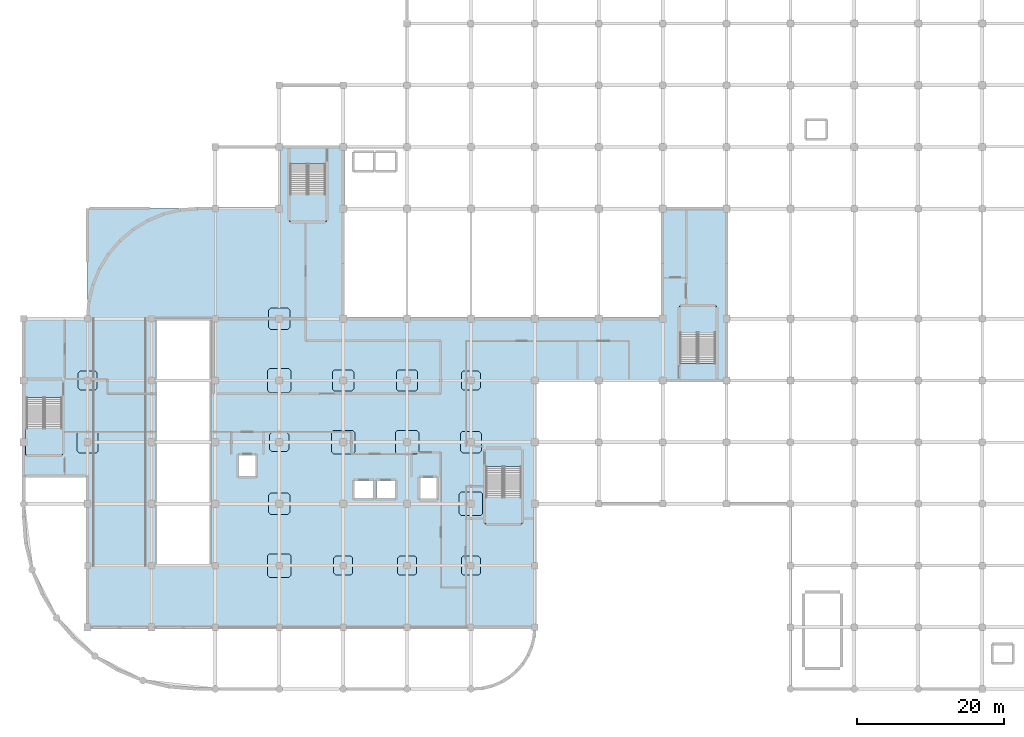
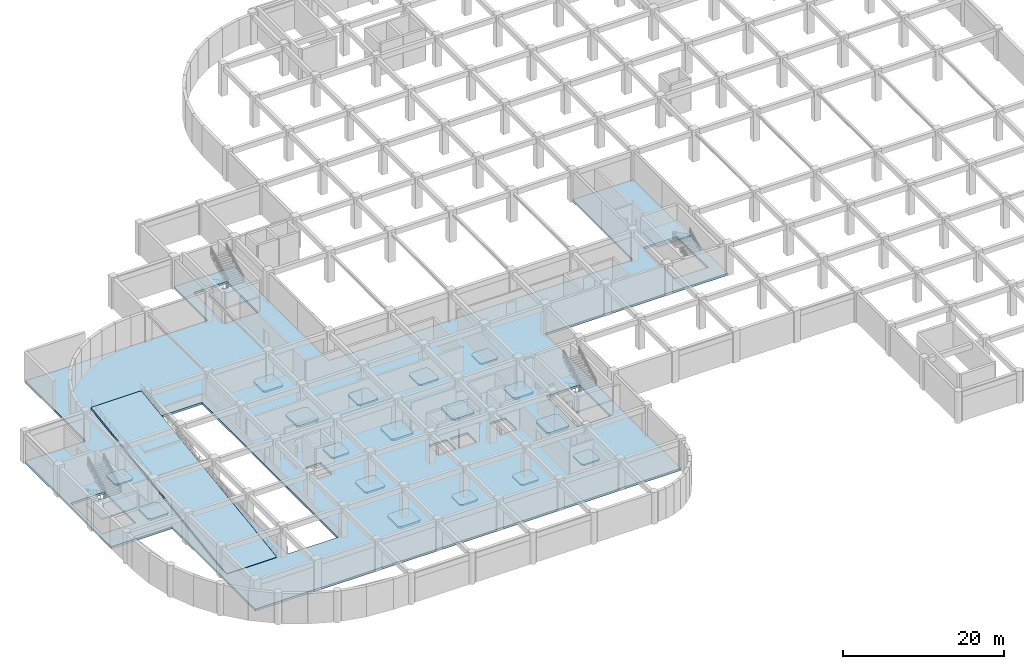
# One storey, part 6 of 19: 23 slabs, 4 elements without a shape of their own.
"""IFC4 building model written with IfcOpenShell, lengths in metres."""

from ifc_helpers import new_model, si_unit, derived_unit, direction, frame, origin, place, context, subcontext, project, spatial, polyline, outline, extrude, material, layer, layer_set, type_object, element, aggregate, save


model = new_model("IFC4")

# Units and contexts
model_context = context("Model", 3, precision=1e-05, world=origin(), true_north=direction((0.0, 1.0)))
body_context = subcontext(model_context, "Body", "Model", "MODEL_VIEW")
ifc_project = project(units=[si_unit("LENGTHUNIT", "METRE"), si_unit("AREAUNIT", "SQUARE_METRE"), si_unit("VOLUMEUNIT", "CUBIC_METRE"), si_unit("PLANEANGLEUNIT", "RADIAN"), si_unit("MASSUNIT", "GRAM", prefix="KILO"), derived_unit("THERMALTRANSMITTANCEUNIT", [(si_unit("MASSUNIT", "GRAM", prefix="KILO"), 1), (si_unit("TIMEUNIT", "SECOND"), -3), (si_unit("THERMODYNAMICTEMPERATUREUNIT", "KELVIN"), -1)])], contexts=[model_context])

# Site, building, storey
site_placement = place(None, origin())
site = spatial("IfcSite", under=ifc_project, at=site_placement, CompositionType="ELEMENT")
building_placement = place(site_placement, origin())
building = spatial("IfcBuilding", under=site, at=building_placement, Name="Qinzheling Arcade Emporium", CompositionType="ELEMENT")
storey_placement = place(building_placement, frame((0.0, 0.0, -4.800048828125)))
storey = spatial("IfcBuildingStorey", under=building, at=storey_placement, Name="B1", CompositionType="ELEMENT", Elevation=-4.800048828125)

# Slabs
ifc_material = material(Name="Concrete C40", Category="concrete")
ifc_layer_1 = layer(ifc_material, 0.320068359375, Name="Concrete C40", Category="concrete")
ifc_layer_set_1 = layer_set([ifc_layer_1], Name="Concrete C40")
slab_type_1 = type_object("IfcSlabType", Name="Basement Garage Flat Slab 320 C40", PredefinedType="FLOOR", material=ifc_layer_set_1)
slab_1_placement = place(storey_placement, frame((0.0, 0.0, -0.320068359375)))
element("IfcSlab", 1, at=slab_1_placement, inside=storey, type_object=slab_type_1, Name="Floor Slab SLB-B1-BASE", PredefinedType="FLOOR", context=body_context, shape_type="SweptSolid", body=[
    extrude(outline(polyline([(8.699951171875, 8.39990234375), (69.60009765625, 8.39990234375), (69.60009765625, 42.0), (95.699951171875, 42.0), (95.699951171875, 65.39990234375), (87.0, 65.39990234375), (87.0, 50.39990234375), (43.5, 50.39990234375), (43.5, 73.800048828125), (34.800048828125, 73.800048828125), (34.800048828125, 65.39990234375), (8.699951171875, 65.39990234375), (8.699951171875, 50.39990234375), (0.0, 50.39990234375), (0.0, 29.0), (8.699951171875, 29.0), (8.699951171875, 8.39990234375)]), holes=[polyline([(94.18994140625, 44.324951171875), (89.39990234375, 44.324951171875), (89.39990234375, 52.0), (94.18994140625, 52.0), (94.18994140625, 44.324951171875)]), polyline([(67.739990234375, 30.27490234375), (67.739990234375, 22.60009765625), (62.949951171875, 22.60009765625), (62.949951171875, 30.27490234375), (67.739990234375, 30.27490234375)]), polyline([(56.199951171875, 25.89990234375), (54.0, 25.89990234375), (54.0, 28.699951171875), (56.199951171875, 28.699951171875), (56.199951171875, 25.89990234375)]), polyline([(50.550048828125, 26.0), (48.050048828125, 26.0), (48.050048828125, 28.300048828125), (50.550048828125, 28.300048828125), (50.550048828125, 26.0)]), polyline([(47.550048828125, 28.300048828125), (47.550048828125, 26.0), (45.050048828125, 26.0), (45.050048828125, 28.300048828125), (47.550048828125, 28.300048828125)]), polyline([(41.090087890625, 63.800048828125), (36.300048828125, 63.800048828125), (36.300048828125, 71.47509765625), (41.090087890625, 71.47509765625), (41.090087890625, 63.800048828125)]), polyline([(31.550048828125, 31.800048828125), (31.550048828125, 29.0), (29.35009765625, 29.0), (29.35009765625, 31.800048828125), (31.550048828125, 31.800048828125)]), polyline([(25.360107421875, 50.409912109375), (25.360107421875, 16.751953125), (18.139892578125, 16.751953125), (18.139892578125, 50.409912109375), (25.360107421875, 50.409912109375)]), polyline([(16.659912109375, 19.25), (16.659912109375, 16.751953125), (9.43994140625, 16.751953125), (9.43994140625, 19.25), (16.659912109375, 19.25)]), polyline([(5.18994140625, 39.675048828125), (5.18994140625, 32.0), (0.39990234375, 32.0), (0.39990234375, 39.675048828125), (5.18994140625, 39.675048828125)])]), origin(), (0.0, 0.0, 1.0), 0.320068359375),
])
ifc_layer_2 = layer(ifc_material, 0.235107421875, Name="Concrete C40", Category="concrete")
ifc_layer_set_2 = layer_set([ifc_layer_2], Name="Concrete C40")
slab_type_2 = type_object("IfcSlabType", Name="Column Head Drop Panel 2600x2600x235 C40", PredefinedType="USERDEFINED", material=ifc_layer_set_2)
slab_2_placement = place(storey_placement, frame((0.0, 0.0, -0.554931640625)))
element("IfcSlab", 2, at=slab_2_placement, inside=storey, type_object=slab_type_2, Name="Column Drop Panel DP-B1-2-F", ObjectType="DROP_PANEL", PredefinedType="USERDEFINED", context=body_context, shape_type="SweptSolid", body=[
    extrude(outline(polyline([(7.679931640625, 40.699951171875), (9.719970703125, 40.699951171875), (10.0, 40.97998046875), (10.0, 43.02001953125), (9.719970703125, 43.300048828125), (7.679931640625, 43.300048828125), (7.39990234375, 43.02001953125), (7.39990234375, 40.97998046875), (7.679931640625, 40.699951171875)])), origin(), (0.0, 0.0, 1.0), 0.23486328125),
])
slab_3_placement = place(storey_placement, frame((0.0, 0.0, -0.554931640625)))
element("IfcSlab", 3, at=slab_3_placement, inside=storey, type_object=slab_type_2, Name="Column Drop Panel DP-B1-5-E", ObjectType="DROP_PANEL", PredefinedType="USERDEFINED", context=body_context, shape_type="SweptSolid", body=[
    extrude(outline(polyline([(33.780029296875, 32.300048828125), (35.820068359375, 32.300048828125), (36.10009765625, 32.580078125), (36.10009765625, 34.6201171875), (35.820068359375, 34.89990234375), (33.780029296875, 34.89990234375), (33.5, 34.6201171875), (33.5, 32.580078125), (33.780029296875, 32.300048828125)])), origin(), (0.0, 0.0, 1.0), 0.23486328125),
])
slab_4_placement = place(storey_placement, frame((0.0, 0.0, -0.554931640625)))
element("IfcSlab", 4, at=slab_4_placement, inside=storey, type_object=slab_type_2, Name="Column Drop Panel DP-B1-6-C", ObjectType="DROP_PANEL", PredefinedType="USERDEFINED", context=body_context, shape_type="SweptSolid", body=[
    extrude(outline(polyline([(42.47998046875, 15.5), (44.52001953125, 15.5), (44.800048828125, 15.780029296875), (44.800048828125, 17.820068359375), (44.52001953125, 18.10009765625), (42.47998046875, 18.10009765625), (42.199951171875, 17.820068359375), (42.199951171875, 15.780029296875), (42.47998046875, 15.5)])), origin(), (0.0, 0.0, 1.0), 0.23486328125),
])
slab_5_placement = place(storey_placement, frame((0.0, 0.0, -0.554931640625)))
element("IfcSlab", 5, at=slab_5_placement, inside=storey, type_object=slab_type_2, Name="Column Drop Panel DP-B1-7-C", ObjectType="DROP_PANEL", PredefinedType="USERDEFINED", context=body_context, shape_type="SweptSolid", body=[
    extrude(outline(polyline([(51.179931640625, 15.5), (53.219970703125, 15.5), (53.5, 15.780029296875), (53.5, 17.820068359375), (53.219970703125, 18.10009765625), (51.179931640625, 18.10009765625), (50.89990234375, 17.820068359375), (50.89990234375, 15.780029296875), (51.179931640625, 15.5)])), origin(), (0.0, 0.0, 1.0), 0.23486328125),
])
slab_6_placement = place(storey_placement, frame((0.0, 0.0, -0.554931640625)))
element("IfcSlab", 6, at=slab_6_placement, inside=storey, type_object=slab_type_2, Name="Column Drop Panel DP-B1-8-C", ObjectType="DROP_PANEL", PredefinedType="USERDEFINED", context=body_context, shape_type="SweptSolid", body=[
    extrude(outline(polyline([(59.8798828125, 15.5), (61.919921875, 15.5), (62.199951171875, 15.780029296875), (62.199951171875, 17.820068359375), (61.919921875, 18.10009765625), (59.8798828125, 18.10009765625), (59.60009765625, 17.820068359375), (59.60009765625, 15.780029296875), (59.8798828125, 15.5)])), origin(), (0.0, 0.0, 1.0), 0.23486328125),
])
slab_7_placement = place(storey_placement, frame((0.0, 0.0, -0.554931640625)))
element("IfcSlab", 7, at=slab_7_placement, inside=storey, type_object=slab_type_2, Name="Column Drop Panel DP-B1-8-F", ObjectType="DROP_PANEL", PredefinedType="USERDEFINED", context=body_context, shape_type="SweptSolid", body=[
    extrude(outline(polyline([(59.8798828125, 40.699951171875), (61.919921875, 40.699951171875), (62.199951171875, 40.97998046875), (62.199951171875, 43.02001953125), (61.919921875, 43.300048828125), (59.8798828125, 43.300048828125), (59.60009765625, 43.02001953125), (59.60009765625, 40.97998046875), (59.8798828125, 40.699951171875)])), origin(), (0.0, 0.0, 1.0), 0.23486328125),
])
ifc_layer_3 = layer(ifc_material, 0.27001953125, Name="Concrete C40", Category="concrete")
ifc_layer_set_3 = layer_set([ifc_layer_3], Name="Concrete C40")
slab_type_3 = type_object("IfcSlabType", Name="Column Head Drop Panel 2900x2900x270 C40", PredefinedType="USERDEFINED", material=ifc_layer_set_3)
slab_8_placement = place(storey_placement, frame((0.0, 0.0, -0.58984375)))
element("IfcSlab", 8, at=slab_8_placement, inside=storey, type_object=slab_type_3, Name="Column Drop Panel DP-B1-2-E", ObjectType="DROP_PANEL", PredefinedType="USERDEFINED", context=body_context, shape_type="SweptSolid", body=[
    extrude(outline(polyline([(7.530029296875, 32.14990234375), (9.8701171875, 32.14990234375), (10.14990234375, 32.429931640625), (10.14990234375, 34.77001953125), (9.8701171875, 35.050048828125), (7.530029296875, 35.050048828125), (7.25, 34.77001953125), (7.25, 32.429931640625), (7.530029296875, 32.14990234375)])), origin(), (0.0, 0.0, 1.0), 0.269775390625),
])
slab_9_placement = place(storey_placement, frame((0.0, 0.0, -0.58984375)))
element("IfcSlab", 9, at=slab_9_placement, inside=storey, type_object=slab_type_3, Name="Column Drop Panel DP-B1-5-D", ObjectType="DROP_PANEL", PredefinedType="USERDEFINED", context=body_context, shape_type="SweptSolid", body=[
    extrude(outline(polyline([(33.6298828125, 23.75), (35.969970703125, 23.75), (36.25, 24.030029296875), (36.25, 26.3701171875), (35.969970703125, 26.64990234375), (33.6298828125, 26.64990234375), (33.35009765625, 26.3701171875), (33.35009765625, 24.030029296875), (33.6298828125, 23.75)])), origin(), (0.0, 0.0, 1.0), 0.269775390625),
])
slab_10_placement = place(storey_placement, frame((0.0, 0.0, -0.58984375)))
element("IfcSlab", 10, at=slab_10_placement, inside=storey, type_object=slab_type_3, Name="Column Drop Panel DP-B1-5-G", ObjectType="DROP_PANEL", PredefinedType="USERDEFINED", context=body_context, shape_type="SweptSolid", body=[
    extrude(outline(polyline([(33.6298828125, 48.949951171875), (35.969970703125, 48.949951171875), (36.25, 49.22998046875), (36.25, 51.570068359375), (35.969970703125, 51.85009765625), (33.6298828125, 51.85009765625), (33.35009765625, 51.570068359375), (33.35009765625, 49.22998046875), (33.6298828125, 48.949951171875)])), origin(), (0.0, 0.0, 1.0), 0.269775390625),
])
slab_11_placement = place(storey_placement, frame((0.0, 0.0, -0.58984375)))
element("IfcSlab", 11, at=slab_11_placement, inside=storey, type_object=slab_type_3, Name="Column Drop Panel DP-B1-6-F", ObjectType="DROP_PANEL", PredefinedType="USERDEFINED", context=body_context, shape_type="SweptSolid", body=[
    extrude(outline(polyline([(42.330078125, 40.550048828125), (44.669921875, 40.550048828125), (44.949951171875, 40.830078125), (44.949951171875, 43.169921875), (44.669921875, 43.449951171875), (42.330078125, 43.449951171875), (42.050048828125, 43.169921875), (42.050048828125, 40.830078125), (42.330078125, 40.550048828125)])), origin(), (0.0, 0.0, 1.0), 0.269775390625),
])
slab_12_placement = place(storey_placement, frame((0.0, 0.0, -0.58984375)))
element("IfcSlab", 12, at=slab_12_placement, inside=storey, type_object=slab_type_3, Name="Column Drop Panel DP-B1-7-F", ObjectType="DROP_PANEL", PredefinedType="USERDEFINED", context=body_context, shape_type="SweptSolid", body=[
    extrude(outline(polyline([(51.030029296875, 40.550048828125), (53.3701171875, 40.550048828125), (53.64990234375, 40.830078125), (53.64990234375, 43.169921875), (53.3701171875, 43.449951171875), (51.030029296875, 43.449951171875), (50.75, 43.169921875), (50.75, 40.830078125), (51.030029296875, 40.550048828125)])), origin(), (0.0, 0.0, 1.0), 0.269775390625),
])
slab_13_placement = place(storey_placement, frame((0.0, 0.0, -0.58984375)))
element("IfcSlab", 13, at=slab_13_placement, inside=storey, type_object=slab_type_3, Name="Column Drop Panel DP-B1-8-E", ObjectType="DROP_PANEL", PredefinedType="USERDEFINED", context=body_context, shape_type="SweptSolid", body=[
    extrude(outline(polyline([(59.72998046875, 32.14990234375), (62.070068359375, 32.14990234375), (62.35009765625, 32.429931640625), (62.35009765625, 34.77001953125), (62.070068359375, 35.050048828125), (59.72998046875, 35.050048828125), (59.449951171875, 34.77001953125), (59.449951171875, 32.429931640625), (59.72998046875, 32.14990234375)])), origin(), (0.0, 0.0, 1.0), 0.269775390625),
])
ifc_layer_4 = layer(ifc_material, 0.300048828125, Name="Concrete C40", Category="concrete")
ifc_layer_set_4 = layer_set([ifc_layer_4], Name="Concrete C40")
slab_type_4 = type_object("IfcSlabType", Name="Column Head Drop Panel 3200x3200x300 C40", PredefinedType="USERDEFINED", material=ifc_layer_set_4)
slab_14_placement = place(storey_placement, frame((0.0, 0.0, -0.619873046875)))
element("IfcSlab", 14, at=slab_14_placement, inside=storey, type_object=slab_type_4, Name="Column Drop Panel DP-B1-5-C", ObjectType="DROP_PANEL", PredefinedType="USERDEFINED", context=body_context, shape_type="SweptSolid", body=[
    extrude(outline(polyline([(33.47998046875, 15.199951171875), (36.1201171875, 15.199951171875), (36.39990234375, 15.47998046875), (36.39990234375, 18.1201171875), (36.1201171875, 18.39990234375), (33.47998046875, 18.39990234375), (33.199951171875, 18.1201171875), (33.199951171875, 15.47998046875), (33.47998046875, 15.199951171875)])), origin(), (0.0, 0.0, 1.0), 0.2998046875),
])
slab_15_placement = place(storey_placement, frame((0.0, 0.0, -0.619873046875)))
element("IfcSlab", 15, at=slab_15_placement, inside=storey, type_object=slab_type_4, Name="Column Drop Panel DP-B1-5-F", ObjectType="DROP_PANEL", PredefinedType="USERDEFINED", context=body_context, shape_type="SweptSolid", body=[
    extrude(outline(polyline([(33.47998046875, 40.39990234375), (36.1201171875, 40.39990234375), (36.39990234375, 40.679931640625), (36.39990234375, 43.320068359375), (36.1201171875, 43.60009765625), (33.47998046875, 43.60009765625), (33.199951171875, 43.320068359375), (33.199951171875, 40.679931640625), (33.47998046875, 40.39990234375)])), origin(), (0.0, 0.0, 1.0), 0.2998046875),
])
slab_16_placement = place(storey_placement, frame((0.0, 0.0, -0.619873046875)))
element("IfcSlab", 16, at=slab_16_placement, inside=storey, type_object=slab_type_4, Name="Column Drop Panel DP-B1-6-E", ObjectType="DROP_PANEL", PredefinedType="USERDEFINED", context=body_context, shape_type="SweptSolid", body=[
    extrude(outline(polyline([(42.179931640625, 32.0), (44.820068359375, 32.0), (45.10009765625, 32.280029296875), (45.10009765625, 34.919921875), (44.820068359375, 35.199951171875), (42.179931640625, 35.199951171875), (41.89990234375, 34.919921875), (41.89990234375, 32.280029296875), (42.179931640625, 32.0)])), origin(), (0.0, 0.0, 1.0), 0.2998046875),
])
slab_17_placement = place(storey_placement, frame((0.0, 0.0, -0.619873046875)))
element("IfcSlab", 17, at=slab_17_placement, inside=storey, type_object=slab_type_4, Name="Column Drop Panel DP-B1-7-E", ObjectType="DROP_PANEL", PredefinedType="USERDEFINED", context=body_context, shape_type="SweptSolid", body=[
    extrude(outline(polyline([(50.8798828125, 32.0), (53.52001953125, 32.0), (53.800048828125, 32.280029296875), (53.800048828125, 34.919921875), (53.52001953125, 35.199951171875), (50.8798828125, 35.199951171875), (50.60009765625, 34.919921875), (50.60009765625, 32.280029296875), (50.8798828125, 32.0)])), origin(), (0.0, 0.0, 1.0), 0.2998046875),
])
slab_18_placement = place(storey_placement, frame((0.0, 0.0, -0.619873046875)))
element("IfcSlab", 18, at=slab_18_placement, inside=storey, type_object=slab_type_4, Name="Column Drop Panel DP-B1-8-D", ObjectType="DROP_PANEL", PredefinedType="USERDEFINED", context=body_context, shape_type="SweptSolid", body=[
    extrude(outline(polyline([(59.580078125, 23.60009765625), (62.219970703125, 23.60009765625), (62.5, 23.8798828125), (62.5, 26.52001953125), (62.219970703125, 26.800048828125), (59.580078125, 26.800048828125), (59.300048828125, 26.52001953125), (59.300048828125, 23.8798828125), (59.580078125, 23.60009765625)])), origin(), (0.0, 0.0, 1.0), 0.2998046875),
])
ifc_layer_5 = layer(ifc_material, 0.300048828125, Name="Concrete C40", Category="concrete")
ifc_layer_set_5 = layer_set([ifc_layer_5], Name="Concrete C40")
slab_type_5 = type_object("IfcSlabType", Name="Sloped Concrete Vehicle Ramp Slab 300 C40", PredefinedType="FLOOR", material=ifc_layer_set_5)
slab_19_placement = place(storey_placement, frame((9.449951171875, 16.800048828125, 0.0), z_axis=(0.0, -0.141423370303, 0.989949205935), x_axis=(1.0, 0.0, 0.0)))
element("IfcSlab", 19, at=slab_19_placement, inside=storey, type_object=slab_type_5, Name="Concrete Vehicle Ramp Slab SLB-RMP-VR1", PredefinedType="FLOOR", context=body_context, shape_type="SweptSolid", body=[
    extrude(outline(polyline([(0.0, 0.0), (7.199951171875, 0.0), (7.199951171875, 33.94098739023133), (0.0, 33.94098739023133), (0.0, 0.0)])), origin(), (0.0, 0.0, -1.0), 0.300048828125),
])

# Stair, slab
stair_type = type_object("IfcStairType", Name="Cast-in-Situ Dog-Leg Escape Stair H4800", PredefinedType="HALF_TURN_STAIR", material=ifc_material)
stair_1_placement = place(storey_placement, origin())
stair_1 = element("IfcStair", 20, at=stair_1_placement, inside=storey, type_object=stair_type, Name="B1 ST01", PredefinedType="HALF_TURN_STAIR")
ifc_layer_6 = layer(ifc_material, 0.199951171875, Name="Concrete C40", Category="concrete")
ifc_layer_set_6 = layer_set([ifc_layer_6], Name="Concrete C40")
slab_type_6 = type_object("IfcSlabType", Name="Stair Half-Turn Landing Slab 200 C40", PredefinedType="LANDING", material=ifc_layer_set_6)
slab_20_placement = place(storey_placement, frame((0.0, 0.0, 2.199951171875)))
slab_20 = element("IfcSlab", 21, at=slab_20_placement, type_object=slab_type_6, Name="ST01 landing 1", PredefinedType="LANDING", context=body_context, shape_type="SweptSolid", body=[
    extrude(outline(polyline([(62.830078125, 26.199951171875), (67.860107421875, 26.199951171875), (67.860107421875, 22.47998046875), (62.830078125, 22.47998046875), (62.830078125, 26.199951171875)])), origin(), (0.0, 0.0, 1.0), 0.2001953125),
])
aggregate(stair_1, [slab_20])

stair_2_placement = place(storey_placement, origin())
stair_2 = element("IfcStair", 22, at=stair_2_placement, inside=storey, type_object=stair_type, Name="B1 ST02", PredefinedType="HALF_TURN_STAIR")
slab_21_placement = place(storey_placement, frame((0.0, 0.0, 2.199951171875)))
slab_21 = element("IfcSlab", 23, at=slab_21_placement, type_object=slab_type_6, Name="ST02 landing 1", PredefinedType="LANDING", context=body_context, shape_type="SweptSolid", body=[
    extrude(outline(polyline([(0.280029296875, 35.60009765625), (5.31005859375, 35.60009765625), (5.31005859375, 31.8798828125), (0.280029296875, 31.8798828125), (0.280029296875, 35.60009765625)])), origin(), (0.0, 0.0, 1.0), 0.2001953125),
])
aggregate(stair_2, [slab_21])

stair_3_placement = place(storey_placement, origin())
stair_3 = element("IfcStair", 24, at=stair_3_placement, inside=storey, type_object=stair_type, Name="B1 ST03", PredefinedType="HALF_TURN_STAIR")
slab_22_placement = place(storey_placement, frame((0.0, 0.0, 2.199951171875)))
slab_22 = element("IfcSlab", 25, at=slab_22_placement, type_object=slab_type_6, Name="ST03 landing 1", PredefinedType="LANDING", context=body_context, shape_type="SweptSolid", body=[
    extrude(outline(polyline([(36.179931640625, 67.39990234375), (41.2099609375, 67.39990234375), (41.2099609375, 63.679931640625), (36.179931640625, 63.679931640625), (36.179931640625, 67.39990234375)])), origin(), (0.0, 0.0, 1.0), 0.2001953125),
])
aggregate(stair_3, [slab_22])

stair_4_placement = place(storey_placement, origin())
stair_4 = element("IfcStair", 26, at=stair_4_placement, inside=storey, type_object=stair_type, Name="B1 ST04", PredefinedType="HALF_TURN_STAIR")
slab_23_placement = place(storey_placement, frame((0.0, 0.0, 2.199951171875)))
slab_23 = element("IfcSlab", 27, at=slab_23_placement, type_object=slab_type_6, Name="ST04 landing 1", PredefinedType="LANDING", context=body_context, shape_type="SweptSolid", body=[
    extrude(outline(polyline([(94.31005859375, 48.39990234375), (89.280029296875, 48.39990234375), (89.280029296875, 52.1201171875), (94.31005859375, 52.1201171875), (94.31005859375, 48.39990234375)])), origin(), (0.0, 0.0, 1.0), 0.2001953125),
])
aggregate(stair_4, [slab_23])

save(model, "model.ifc")
